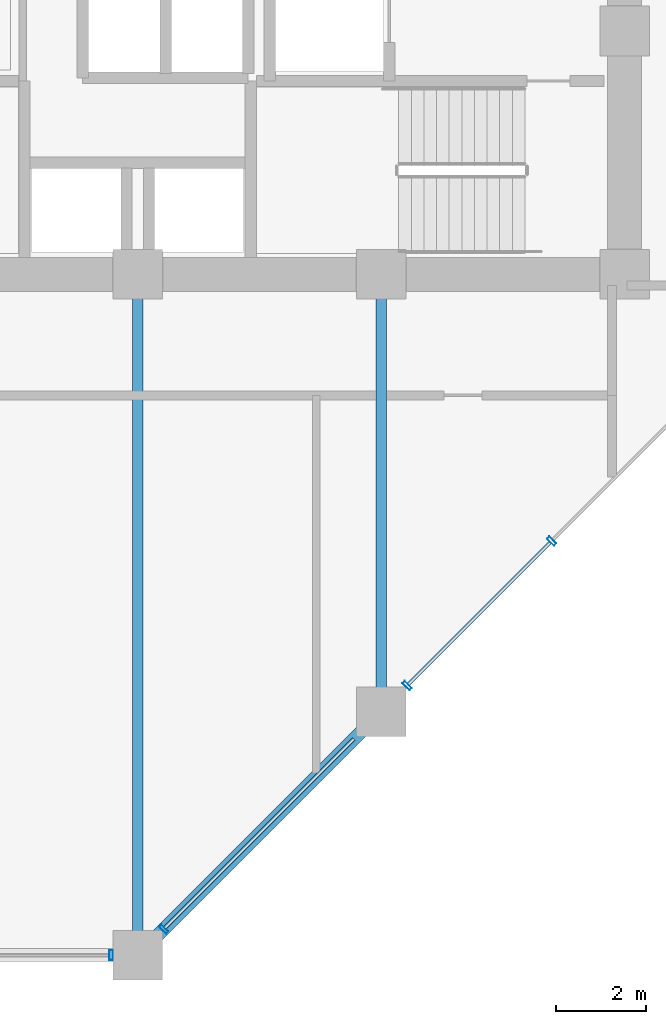
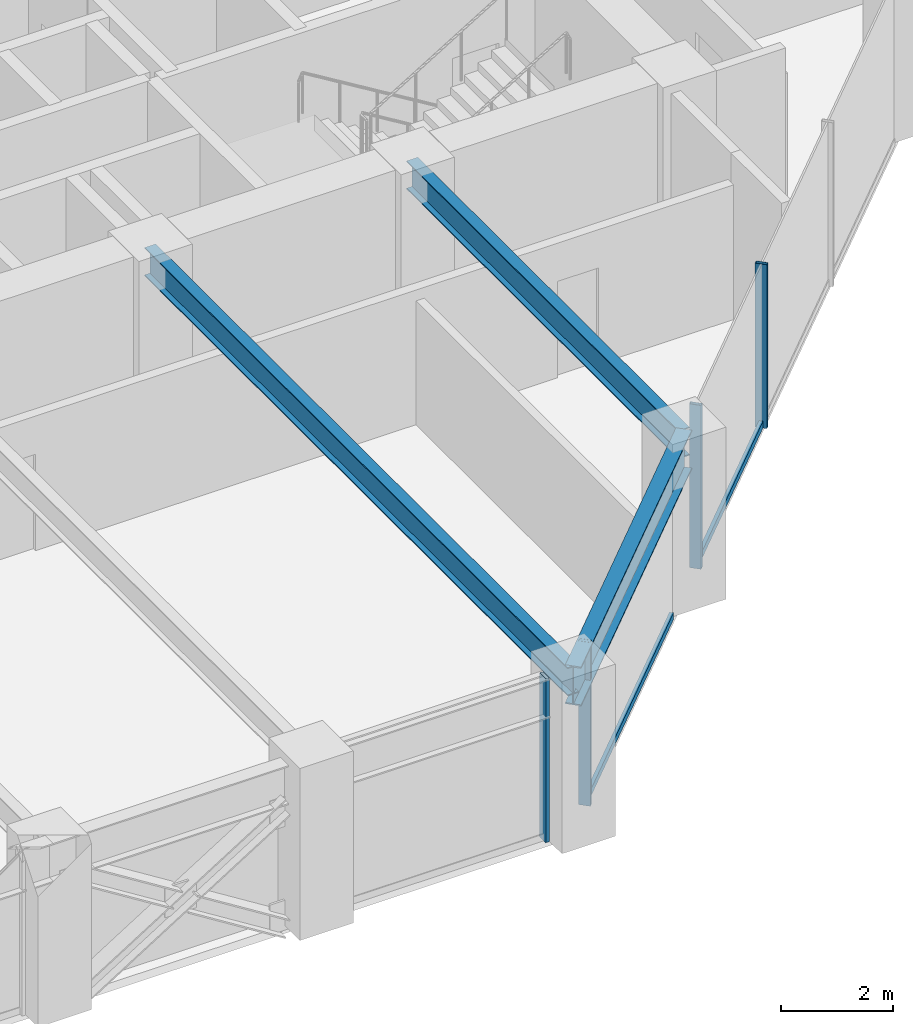
# One storey, part 7 of 24: 6 members, 3 beams, 2 elements without a shape of their own.
"""IFC4 building model written with IfcOpenShell, lengths in metres."""

from ifc_helpers import new_model, si_unit, direction, frame, origin, origin_2d, place, context, subcontext, project, spatial, hollow_rectangle, i_section, extrude, material, layer, layer_set, material_profile, profile_set, type_object, element, aggregate, save


model = new_model("IFC4")

# Units and contexts
model_context = context("Model", 3, precision=1e-05, world=origin(), true_north=direction((0.0, 1.0)))
body_context = subcontext(model_context, "Body", "Model", "MODEL_VIEW")
ifc_project = project(units=[si_unit("LENGTHUNIT", "METRE"), si_unit("AREAUNIT", "SQUARE_METRE"), si_unit("VOLUMEUNIT", "CUBIC_METRE"), si_unit("PLANEANGLEUNIT", "RADIAN"), si_unit("MASSUNIT", "GRAM", prefix="KILO")], contexts=[model_context])

# Site, building, storey
site_placement = place(None, origin())
site = spatial("IfcSite", under=ifc_project, at=site_placement, CompositionType="ELEMENT")
building_placement = place(site_placement, origin())
building = spatial("IfcBuilding", under=site, at=building_placement, Name="Surkhivell Harbour Commons", CompositionType="ELEMENT")
storey_placement = place(building_placement, frame((0.0, 0.0, 105.75)))
storey = spatial("IfcBuildingStorey", under=building, at=storey_placement, Name="L27", CompositionType="ELEMENT", Elevation=105.75)

# Beams
ifc_material_1 = material(Name="Steel S355", Category="steel")
ifc_material_profile_1 = material_profile(ifc_material_1, i_section(OverallWidth=0.22998046875, OverallDepth=0.616943359375, WebThickness=0.01318359375, FlangeThickness=0.022216796875, at=origin_2d()), Name="UB610x229x140")
ifc_profile_set_1 = profile_set([ifc_material_profile_1], Name="Steel S355")
beam_type_1 = type_object("IfcBeamType", Name="BM-GRD-610B", PredefinedType="BEAM", material=ifc_profile_set_1)
beam_1_placement = place(storey_placement, frame((0.0, -25.89990234375, 3.261474609375), z_axis=(0.0, 1.0, 0.0), x_axis=(-1.0, 0.0, 0.0)))
element("IfcBeam", 1, at=beam_1_placement, inside=storey, type_object=beam_type_1, Name="L27 Floor Girder (0.0,-25.9)", PredefinedType="BEAM", context=body_context, shape_type="SweptSolid", body=[
    extrude(i_section(OverallWidth=0.22998046875, OverallDepth=0.616943359375, WebThickness=0.01318359375, FlangeThickness=0.022216796875, at=origin_2d()), origin(), (0.0, 0.0, 1.0), 15.099853515625),
])
beam_2_placement = place(storey_placement, frame((5.39990234375, -20.5, 3.261474609375), z_axis=(0.0, 1.0, 0.0), x_axis=(-1.0, 0.0, 0.0)))
element("IfcBeam", 2, at=beam_2_placement, inside=storey, type_object=beam_type_1, Name="L27 Floor Girder (5.4,-20.5)", PredefinedType="BEAM", context=body_context, shape_type="SweptSolid", body=[
    extrude(i_section(OverallWidth=0.22998046875, OverallDepth=0.616943359375, WebThickness=0.01318359375, FlangeThickness=0.022216796875, at=origin_2d()), origin(), (0.0, 0.0, 1.0), 9.699951171875),
])
ifc_material_2 = material(Name="Steel S460", Category="steel")
ifc_material_profile_2 = material_profile(ifc_material_2, i_section(OverallWidth=0.2939453125, OverallDepth=0.85107421875, WebThickness=0.01611328125, FlangeThickness=0.02685546875, at=origin_2d()), Name="UB838x292x226")
ifc_profile_set_2 = profile_set([ifc_material_profile_2], Name="Steel S460")
beam_type_2 = type_object("IfcBeamType", Name="BM-SPN-838", PredefinedType="SPANDREL", material=ifc_profile_set_2)
beam_3_placement = place(storey_placement, frame((0.0, -25.89990234375, 3.14453125), z_axis=(0.707106781187, 0.707106781187, 0.0), x_axis=(-0.707106781187, 0.707106781187, 0.0)))
element("IfcBeam", 3, at=beam_3_placement, inside=storey, type_object=beam_type_2, Name="L27 Tube Spandrel (-0.0,-25.9)", PredefinedType="SPANDREL", context=body_context, shape_type="SweptSolid", body=[
    extrude(i_section(OverallWidth=0.2939453125, OverallDepth=0.85107421875, WebThickness=0.01611328125, FlangeThickness=0.02685546875, at=origin_2d()), origin(), (0.0, 0.0, 1.0), 7.63671875),
])

# Curtain wall, member
ifc_material_3 = material(Name="Anodised pale-metal aluminium and insulated glazing", Category="aluminium")
ifc_layer = layer(ifc_material_3, 0.205078125)
ifc_layer_set = layer_set([ifc_layer], Name="Anodised pale-metal aluminium and insulated glazing")
curtain_wall_type = type_object("IfcCurtainWallType", Name="CW-SYS-Z2", PredefinedType="NOTDEFINED", material=ifc_layer_set)
curtain_wall_1_placement = place(storey_placement, origin())
curtain_wall_1 = element("IfcCurtainWall", 4, at=curtain_wall_1_placement, inside=storey, type_object=curtain_wall_type, Name="L27 Curtain Wall CW-L27-E00S2", PredefinedType="NOTDEFINED")
ifc_material_4 = material(Name="Anodised pale-metal aluminium alloy 6063-T6", Category="aluminium")
ifc_material_profile_3 = material_profile(ifc_material_4, hollow_rectangle(XDim=0.074951171875, YDim=0.219970703125, WallThickness=0.00390625, at=origin_2d()), Name="ALU-MULL-75x220")
ifc_profile_set_3 = profile_set([ifc_material_profile_3], Name="Anodised pale-metal aluminium alloy 6063-T6")
member_type_1 = type_object("IfcMemberType", Name="CWM-220", PredefinedType="MULLION", material=ifc_profile_set_3)
member_1_placement = place(storey_placement, frame((-0.589599609375, -25.89990234375, 0.0), z_axis=(0.0, 0.0, 1.0), x_axis=(1.0, 0.0, 0.0)))
member_1 = element("IfcMember", 5, at=member_1_placement, type_object=member_type_1, Name="CW-Z2 mullion 2", PredefinedType="MULLION", context=body_context, shape_type="SweptSolid", body=[
    extrude(hollow_rectangle(XDim=0.074951171875, YDim=0.219970703125, WallThickness=0.00390625, at=origin_2d()), origin(), (0.0, 0.0, 1.0), 3.570068359375),
])
aggregate(curtain_wall_1, [member_1])

# Curtain wall, members
curtain_wall_2_placement = place(storey_placement, origin())
curtain_wall_2 = element("IfcCurtainWall", 6, at=curtain_wall_2_placement, inside=storey, type_object=curtain_wall_type, Name="L27 Curtain Wall CW-L27-E01", PredefinedType="NOTDEFINED")
member_2_placement = place(storey_placement, frame((0.578125, -25.32177734375, 0.0), z_axis=(0.0, 0.0, 1.0), x_axis=(0.707106781187, 0.707106781187, 0.0)))
member_2 = element("IfcMember", 7, at=member_2_placement, type_object=member_type_1, Name="CW-Z2 mullion 1", PredefinedType="MULLION", context=body_context, shape_type="SweptSolid", body=[
    extrude(hollow_rectangle(XDim=0.074951171875, YDim=0.219970703125, WallThickness=0.00390625, at=origin_2d()), origin(), (0.0, 0.0, 1.0), 3.570068359375),
])
member_3_placement = place(storey_placement, frame((5.978271484375, -19.921875, 0.0), z_axis=(0.0, 0.0, 1.0), x_axis=(0.707106781187, 0.707106781187, 0.0)))
member_3 = element("IfcMember", 8, at=member_3_placement, type_object=member_type_1, Name="CW-Z2 mullion 2", PredefinedType="MULLION", context=body_context, shape_type="SweptSolid", body=[
    extrude(hollow_rectangle(XDim=0.074951171875, YDim=0.219970703125, WallThickness=0.00390625, at=origin_2d()), origin(), (0.0, 0.0, 1.0), 3.570068359375),
])
member_4_placement = place(storey_placement, frame((9.183837890625, -16.716064453125, 0.0), z_axis=(0.0, 0.0, 1.0), x_axis=(0.707106781187, 0.707106781187, 0.0)))
member_4 = element("IfcMember", 9, at=member_4_placement, type_object=member_type_1, Name="CW-Z2 mullion 3", PredefinedType="MULLION", context=body_context, shape_type="SweptSolid", body=[
    extrude(hollow_rectangle(XDim=0.074951171875, YDim=0.219970703125, WallThickness=0.00390625, at=origin_2d()), origin(), (0.0, 0.0, 1.0), 3.570068359375),
])
ifc_material_profile_4 = material_profile(ifc_material_4, hollow_rectangle(XDim=0.074951171875, YDim=0.14990234375, WallThickness=0.00341796875, at=origin_2d()), Name="ALU-TRAN-75x150")
ifc_profile_set_4 = profile_set([ifc_material_profile_4], Name="Anodised pale-metal aluminium alloy 6063-T6")
member_type_2 = type_object("IfcMemberType", Name="CWT-150", PredefinedType="USERDEFINED", material=ifc_profile_set_4)
member_5_placement = place(storey_placement, frame((0.604736328125, -25.295166015625, 0.074951171875), z_axis=(0.707106781187, 0.707106781187, 0.0), x_axis=(-0.707106781187, 0.707106781187, 0.0)))
member_5 = element("IfcMember", 10, at=member_5_placement, type_object=member_type_2, Name="CW-Z2 transom 1.1", ObjectType="TRANSOM", PredefinedType="USERDEFINED", context=body_context, shape_type="SweptSolid", body=[
    extrude(hollow_rectangle(XDim=0.074951171875, YDim=0.14990234375, WallThickness=0.00341796875, at=origin_2d()), origin(), (0.0, 0.0, 1.0), 5.92626953125),
])
member_6_placement = place(storey_placement, frame((6.004638671875, -19.895263671875, 0.074951171875), z_axis=(0.707134159244, 0.707079402069, 0.0), x_axis=(-0.707079402069, 0.707134159244, 0.0)))
member_6 = element("IfcMember", 11, at=member_6_placement, type_object=member_type_2, Name="CW-Z2 transom 2.1", ObjectType="TRANSOM", PredefinedType="USERDEFINED", context=body_context, shape_type="SweptSolid", body=[
    extrude(hollow_rectangle(XDim=0.074951171875, YDim=0.14990234375, WallThickness=0.00341796875, at=origin_2d()), origin(), (0.0, 0.0, 1.0), 4.45849609375),
])
aggregate(curtain_wall_2, [member_2, member_5, member_3, member_4, member_6])

save(model, "model.ifc")
